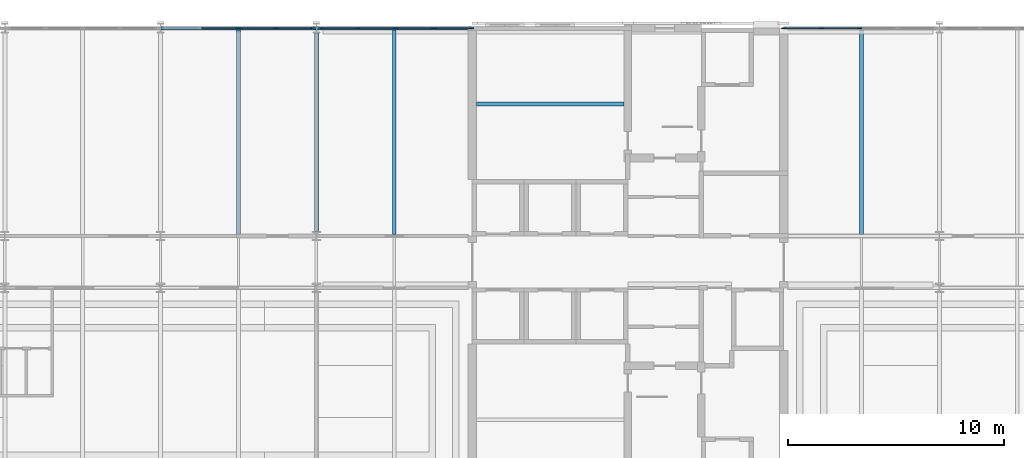
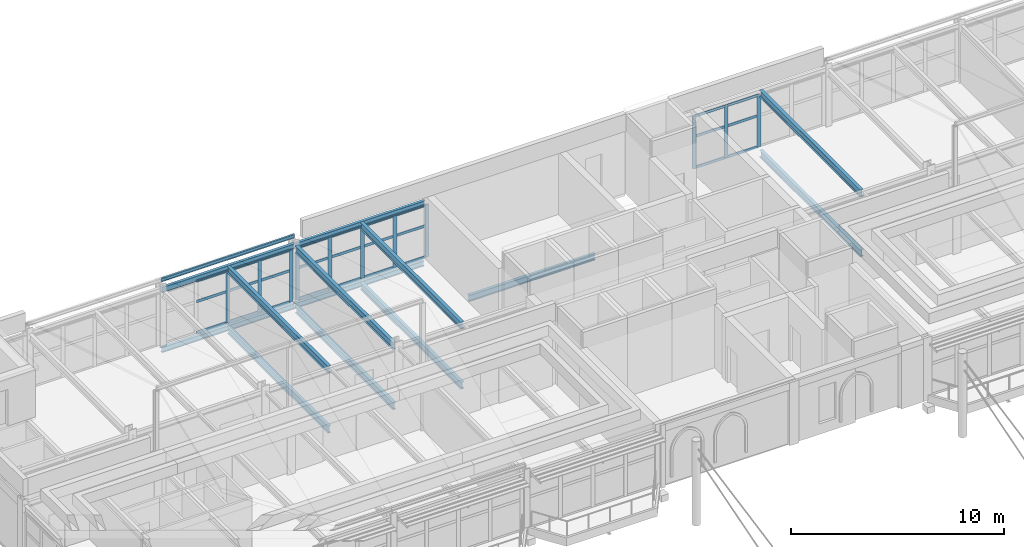
# One storey, part 36 of 68: 38 members, 14 beams, 3 elements without a shape of their own.
"""IFC4 building model written with IfcOpenShell, lengths in metres."""

from ifc_helpers import new_model, si_unit, direction, frame, origin, origin_2d, place, context, subcontext, project, spatial, rectangle, i_section, extrude, material, material_profile, profile_set, type_object, element, aggregate, save


model = new_model("IFC4")

# Units and contexts
model_context = context("Model", 3, precision=1e-05, world=origin(), true_north=direction((0.0, 1.0)))
body_context = subcontext(model_context, "Body", "Model", "MODEL_VIEW")
ifc_project = project(units=[si_unit("LENGTHUNIT", "METRE"), si_unit("AREAUNIT", "SQUARE_METRE"), si_unit("VOLUMEUNIT", "CUBIC_METRE"), si_unit("PLANEANGLEUNIT", "RADIAN"), si_unit("MASSUNIT", "GRAM", prefix="KILO")], contexts=[model_context])

# Site, building, storey
site_placement = place(None, origin())
site = spatial("IfcSite", under=ifc_project, at=site_placement, CompositionType="ELEMENT")
building_placement = place(site_placement, origin())
building = spatial("IfcBuilding", under=site, at=building_placement, Name="Kupolbacken Congress Centre", CompositionType="ELEMENT")
storey_placement = place(building_placement, frame((0.0, 0.0, 25.199951171875)))
storey = spatial("IfcBuildingStorey", under=building, at=storey_placement, Name="L07", CompositionType="ELEMENT", Elevation=25.199951171875)

# Beams
ifc_material_1 = material(Name="Steel S355", Category="steel")
ifc_material_profile_1 = material_profile(ifc_material_1, i_section(OverallWidth=0.10009765625, OverallDepth=0.199951171875, WebThickness=0.005615234375, FlangeThickness=0.008544921875, FilletRadius=0.011962890625, at=origin_2d()), Name="IPE 200")
ifc_profile_set_1 = profile_set([ifc_material_profile_1], Name="Steel S355")
beam_type_1 = type_object("IfcBeamType", Name="B01 beam IPE 200", PredefinedType="BEAM", material=ifc_profile_set_1)
beam_1_placement = place(storey_placement, frame((79.199951171875, 144.0, 3.699951171875), z_axis=(1.0, 0.0, 0.0), x_axis=(0.0, 1.0, 0.0)))
element("IfcBeam", 1, at=beam_1_placement, inside=storey, type_object=beam_type_1, Name="E/T/roof/R1/high1", PredefinedType="BEAM", context=body_context, shape_type="SweptSolid", body=[
    extrude(i_section(OverallWidth=0.10009765625, OverallDepth=0.199951171875, WebThickness=0.005615234375, FlangeThickness=0.008544921875, FilletRadius=0.011962890625, at=origin_2d()), origin(), (0.0, 0.0, 1.0), 7.199951171875),
])
ifc_material_2 = material(Name="Steel S355", Category="steel")
ifc_material_profile_2 = material_profile(ifc_material_2, i_section(OverallWidth=0.14990234375, OverallDepth=0.300048828125, WebThickness=0.007080078125, FlangeThickness=0.0107421875, FilletRadius=0.014892578125, at=origin_2d()), Name="IPE 300")
ifc_profile_set_2 = profile_set([ifc_material_profile_2], Name="Steel S355")
beam_type_2 = type_object("IfcBeamType", Name="B04 beam IPE 300", PredefinedType="BEAM", material=ifc_profile_set_2)
beam_2_placement = place(storey_placement, frame((79.21044921875, 144.0, -0.2900390625), z_axis=(1.0, 0.0, 0.0), x_axis=(0.0, 1.0, 0.0)))
element("IfcBeam", 2, at=beam_2_placement, inside=storey, type_object=beam_type_2, Name="S/floor/T/L07/R027", PredefinedType="BEAM", context=body_context, shape_type="SweptSolid", body=[
    extrude(i_section(OverallWidth=0.14990234375, OverallDepth=0.300048828125, WebThickness=0.007080078125, FlangeThickness=0.0107421875, FilletRadius=0.014892578125, at=origin_2d()), origin(), (0.0, 0.0, 1.0), 7.178955078125),
])
beam_3_placement = place(storey_placement, frame((86.410400390625, 144.0, -0.2900390625), z_axis=(1.0, 0.0, 0.0), x_axis=(0.0, 1.0, 0.0)))
element("IfcBeam", 3, at=beam_3_placement, inside=storey, type_object=beam_type_2, Name="S/floor/T/L07/R028", PredefinedType="BEAM", context=body_context, shape_type="SweptSolid", body=[
    extrude(i_section(OverallWidth=0.14990234375, OverallDepth=0.300048828125, WebThickness=0.007080078125, FlangeThickness=0.0107421875, FilletRadius=0.014892578125, at=origin_2d()), origin(), (0.0, 0.0, 1.0), 6.989501953125),
])
beam_4_placement = place(storey_placement, frame((79.21044921875, 144.0, 3.14013671875), z_axis=(1.0, 0.0, 0.0), x_axis=(0.0, 1.0, 0.0)))
element("IfcBeam", 4, at=beam_4_placement, inside=storey, type_object=beam_type_2, Name="S/floor/T/ROOF/R027", PredefinedType="BEAM", context=body_context, shape_type="SweptSolid", body=[
    extrude(i_section(OverallWidth=0.14990234375, OverallDepth=0.300048828125, WebThickness=0.007080078125, FlangeThickness=0.0107421875, FilletRadius=0.014892578125, at=origin_2d()), origin(), (0.0, 0.0, 1.0), 7.178955078125),
])
beam_5_placement = place(storey_placement, frame((86.410400390625, 144.0, 3.14013671875), z_axis=(1.0, 0.0, 0.0), x_axis=(0.0, 1.0, 0.0)))
element("IfcBeam", 5, at=beam_5_placement, inside=storey, type_object=beam_type_2, Name="S/floor/T/ROOF/R028", PredefinedType="BEAM", context=body_context, shape_type="SweptSolid", body=[
    extrude(i_section(OverallWidth=0.14990234375, OverallDepth=0.300048828125, WebThickness=0.007080078125, FlangeThickness=0.0107421875, FilletRadius=0.014892578125, at=origin_2d()), origin(), (0.0, 0.0, 1.0), 7.0146484375),
])
ifc_material_3 = material(Name="Steel S355", Category="steel")
ifc_material_profile_3 = material_profile(ifc_material_3, i_section(OverallWidth=0.169921875, OverallDepth=0.360107421875, WebThickness=0.008056640625, FlangeThickness=0.0126953125, FilletRadius=0.01806640625, at=origin_2d()), Name="IPE 360")
ifc_profile_set_3 = profile_set([ifc_material_profile_3], Name="Steel S355")
beam_type_3 = type_object("IfcBeamType", Name="B06 beam IPE 360", PredefinedType="BEAM", material=ifc_profile_set_3)
beam_6_placement = place(storey_placement, frame((93.800048828125, 140.5, -0.320068359375), z_axis=(1.0, 0.0, 0.0), x_axis=(0.0, 1.0, 0.0)))
element("IfcBeam", 6, at=beam_6_placement, inside=storey, type_object=beam_type_3, Name="S/floor/T/L07/RB140", PredefinedType="BEAM", context=body_context, shape_type="SweptSolid", body=[
    extrude(i_section(OverallWidth=0.169921875, OverallDepth=0.360107421875, WebThickness=0.008056640625, FlangeThickness=0.0126953125, FilletRadius=0.01806640625, at=origin_2d()), origin(), (0.0, 0.0, 1.0), 6.824951171875),
])
ifc_material_4 = material(Name="Steel S355", Category="steel")
ifc_material_profile_4 = material_profile(ifc_material_4, i_section(OverallWidth=0.179931640625, OverallDepth=0.39990234375, WebThickness=0.008544921875, FlangeThickness=0.013427734375, FilletRadius=0.02099609375, at=origin_2d()), Name="IPE 400")
ifc_profile_set_4 = profile_set([ifc_material_profile_4], Name="Steel S355")
beam_type_4 = type_object("IfcBeamType", Name="B07 beam IPE 400", PredefinedType="BEAM", material=ifc_profile_set_4)
beam_7_placement = place(storey_placement, frame((82.800048828125, 134.47509765625, -0.33984375), z_axis=(0.0, 1.0, 0.0), x_axis=(-1.0, 0.0, 0.0)))
element("IfcBeam", 7, at=beam_7_placement, inside=storey, type_object=beam_type_4, Name="S/floor/T/L07/S050", PredefinedType="BEAM", context=body_context, shape_type="SweptSolid", body=[
    extrude(i_section(OverallWidth=0.179931640625, OverallDepth=0.39990234375, WebThickness=0.008544921875, FlangeThickness=0.013427734375, FilletRadius=0.02099609375, at=origin_2d()), origin(), (0.0, 0.0, 1.0), 9.449951171875),
])
beam_8_placement = place(storey_placement, frame((86.39990234375, 134.612548828125, -0.33984375), z_axis=(0.0, 1.0, 0.0), x_axis=(-1.0, 0.0, 0.0)))
element("IfcBeam", 8, at=beam_8_placement, inside=storey, type_object=beam_type_4, Name="S/floor/T/L07/S053", PredefinedType="BEAM", context=body_context, shape_type="SweptSolid", body=[
    extrude(i_section(OverallWidth=0.179931640625, OverallDepth=0.39990234375, WebThickness=0.008544921875, FlangeThickness=0.013427734375, FilletRadius=0.02099609375, at=origin_2d()), origin(), (0.0, 0.0, 1.0), 9.17138671875),
])
for number, where, z_axis, x_axis, name in (
    (9, (90.0, 134.47509765625, -0.33984375), (0.0, 1.0, 0.0), (-1.0, 0.0, 0.0), "S/floor/T/L07/S056"),
    (10, (111.60009765625, 134.47509765625, -0.33984375), (0.0, 1.0, 0.0), (-1.0, 0.0, 0.0), "S/floor/T/L07/S059"),
    (11, (82.800048828125, 134.47509765625, 3.090087890625), (0.0, 1.0, 0.0), (-1.0, 0.0, 0.0), "S/floor/T/ROOF/S050"),
):
    element("IfcBeam", number, at=place(storey_placement, frame(where, z_axis=z_axis, x_axis=x_axis)), inside=storey, type_object=beam_type_4, Name=name, PredefinedType="BEAM", context=body_context, shape_type="SweptSolid", body=[
        extrude(i_section(OverallWidth=0.179931640625, OverallDepth=0.39990234375, WebThickness=0.008544921875, FlangeThickness=0.013427734375, FilletRadius=0.02099609375, at=origin_2d()), origin(), (0.0, 0.0, 1.0), 9.449951171875),
    ])
beam_9_placement = place(storey_placement, frame((86.39990234375, 134.612548828125, 3.090087890625), z_axis=(0.0, 1.0, 0.0), x_axis=(-1.0, 0.0, 0.0)))
element("IfcBeam", 12, at=beam_9_placement, inside=storey, type_object=beam_type_4, Name="S/floor/T/ROOF/S053", PredefinedType="BEAM", context=body_context, shape_type="SweptSolid", body=[
    extrude(i_section(OverallWidth=0.179931640625, OverallDepth=0.39990234375, WebThickness=0.008544921875, FlangeThickness=0.013427734375, FilletRadius=0.02099609375, at=origin_2d()), origin(), (0.0, 0.0, 1.0), 9.17138671875),
])
for number, where, z_axis, x_axis, name in (
    (13, (90.0, 134.47509765625, 3.090087890625), (0.0, 1.0, 0.0), (-1.0, 0.0, 0.0), "S/floor/T/ROOF/S056"),
    (14, (111.60009765625, 134.47509765625, 3.090087890625), (0.0, 1.0, 0.0), (-1.0, 0.0, 0.0), "S/floor/T/ROOF/S059"),
):
    element("IfcBeam", number, at=place(storey_placement, frame(where, z_axis=z_axis, x_axis=x_axis)), inside=storey, type_object=beam_type_4, Name=name, PredefinedType="BEAM", context=body_context, shape_type="SweptSolid", body=[
        extrude(i_section(OverallWidth=0.179931640625, OverallDepth=0.39990234375, WebThickness=0.008544921875, FlangeThickness=0.013427734375, FilletRadius=0.02099609375, at=origin_2d()), origin(), (0.0, 0.0, 1.0), 9.449951171875),
    ])

# Curtain wall, members
ifc_material_5 = material(Name="Aluminium mullion-transom frame with glass", Category="aluminium")
curtain_wall_type = type_object("IfcCurtainWallType", Name="CW1 curtain wall 7200x3600", PredefinedType="NOTDEFINED", material=ifc_material_5)
curtain_wall_1_placement = place(storey_placement, origin())
curtain_wall_1 = element("IfcCurtainWall", 15, at=curtain_wall_1_placement, inside=storey, type_object=curtain_wall_type, Name="E/T/N/L07/106/g0", PredefinedType="NOTDEFINED")
ifc_material_6 = material(Name="Aluminium alloy", Category="aluminium")
ifc_material_profile_5 = material_profile(ifc_material_6, rectangle(XDim=0.050048828125, YDim=0.199951171875, at=origin_2d()), Name="50 x 200")
ifc_profile_set_5 = profile_set([ifc_material_profile_5], Name="Aluminium alloy")
member_type_1 = type_object("IfcMemberType", Name="MU2 mullion 50x200", PredefinedType="MULLION", material=ifc_profile_set_5)
member_1_placement = place(storey_placement, frame((111.523193359375, 144.0, 0.0), z_axis=(0.0, 0.0, 1.0), x_axis=(0.0, -1.0, 0.0)))
member_1 = element("IfcMember", 16, at=member_1_placement, type_object=member_type_1, Name="CW1 mullion 3", PredefinedType="MULLION", context=body_context, shape_type="SweptSolid", body=[
    extrude(rectangle(XDim=0.050048828125, YDim=0.199951171875, at=origin_2d()), origin(), (0.0, 0.0, 1.0), 2.989990234375),
])
member_2_placement = place(storey_placement, frame((109.76171875, 144.0, 0.0), z_axis=(0.0, 0.0, 1.0), x_axis=(0.0, -1.0, 0.0)))
member_2 = element("IfcMember", 17, at=member_2_placement, type_object=member_type_1, Name="CW1 mullion 4", PredefinedType="MULLION", context=body_context, shape_type="SweptSolid", body=[
    extrude(rectangle(XDim=0.050048828125, YDim=0.199951171875, at=origin_2d()), origin(), (0.0, 0.0, 1.0), 2.989990234375),
])
member_3_placement = place(storey_placement, frame((108.02490234375, 144.0, 0.0), z_axis=(0.0, 0.0, 1.0), x_axis=(0.0, -1.0, 0.0)))
member_3 = element("IfcMember", 18, at=member_3_placement, type_object=member_type_1, Name="CW1 mullion 5", PredefinedType="MULLION", context=body_context, shape_type="SweptSolid", body=[
    extrude(rectangle(XDim=0.050048828125, YDim=0.199951171875, at=origin_2d()), origin(), (0.0, 0.0, 1.0), 2.989990234375),
])

curtain_wall_2_placement = place(storey_placement, origin())
curtain_wall_2 = element("IfcCurtainWall", 19, at=curtain_wall_2_placement, inside=storey, type_object=curtain_wall_type, Name="E/T/N/L07/108/g0", PredefinedType="NOTDEFINED")
member_4_placement = place(storey_placement, frame((93.574951171875, 144.0, 0.0), z_axis=(0.0, 0.0, 1.0), x_axis=(0.0, -1.0, 0.0)))
member_4 = element("IfcMember", 20, at=member_4_placement, type_object=member_type_1, Name="CW1 mullion 1", PredefinedType="MULLION", context=body_context, shape_type="SweptSolid", body=[
    extrude(rectangle(XDim=0.050048828125, YDim=0.199951171875, at=origin_2d()), origin(), (0.0, 0.0, 1.0), 2.989990234375),
])
member_5_placement = place(storey_placement, frame((91.83837890625, 144.0, 0.0), z_axis=(0.0, 0.0, 1.0), x_axis=(0.0, -1.0, 0.0)))
member_5 = element("IfcMember", 21, at=member_5_placement, type_object=member_type_1, Name="CW1 mullion 2", PredefinedType="MULLION", context=body_context, shape_type="SweptSolid", body=[
    extrude(rectangle(XDim=0.050048828125, YDim=0.199951171875, at=origin_2d()), origin(), (0.0, 0.0, 1.0), 2.989990234375),
])
member_6_placement = place(storey_placement, frame((90.07666015625, 144.0, 0.0), z_axis=(0.0, 0.0, 1.0), x_axis=(0.0, -1.0, 0.0)))
member_6 = element("IfcMember", 22, at=member_6_placement, type_object=member_type_1, Name="CW1 mullion 3", PredefinedType="MULLION", context=body_context, shape_type="SweptSolid", body=[
    extrude(rectangle(XDim=0.050048828125, YDim=0.199951171875, at=origin_2d()), origin(), (0.0, 0.0, 1.0), 2.989990234375),
])
member_7_placement = place(storey_placement, frame((88.315185546875, 144.0, 0.0), z_axis=(0.0, 0.0, 1.0), x_axis=(0.0, -1.0, 0.0)))
member_7 = element("IfcMember", 23, at=member_7_placement, type_object=member_type_1, Name="CW1 mullion 4", PredefinedType="MULLION", context=body_context, shape_type="SweptSolid", body=[
    extrude(rectangle(XDim=0.050048828125, YDim=0.199951171875, at=origin_2d()), origin(), (0.0, 0.0, 1.0), 2.989990234375),
])
member_8_placement = place(storey_placement, frame((86.57861328125, 144.0, 0.0), z_axis=(0.0, 0.0, 1.0), x_axis=(0.0, -1.0, 0.0)))
member_8 = element("IfcMember", 24, at=member_8_placement, type_object=member_type_1, Name="CW1 mullion 5", PredefinedType="MULLION", context=body_context, shape_type="SweptSolid", body=[
    extrude(rectangle(XDim=0.050048828125, YDim=0.199951171875, at=origin_2d()), origin(), (0.0, 0.0, 1.0), 2.989990234375),
])

curtain_wall_3_placement = place(storey_placement, origin())
curtain_wall_3 = element("IfcCurtainWall", 25, at=curtain_wall_3_placement, inside=storey, type_object=curtain_wall_type, Name="E/T/N/L07/109/g0", PredefinedType="NOTDEFINED")
member_9_placement = place(storey_placement, frame((86.221435546875, 144.0, 0.0), z_axis=(0.0, 0.0, 1.0), x_axis=(0.0, -1.0, 0.0)))
member_9 = element("IfcMember", 26, at=member_9_placement, type_object=member_type_1, Name="CW1 mullion 1", PredefinedType="MULLION", context=body_context, shape_type="SweptSolid", body=[
    extrude(rectangle(XDim=0.050048828125, YDim=0.199951171875, at=origin_2d()), origin(), (0.0, 0.0, 1.0), 2.989990234375),
])
member_10_placement = place(storey_placement, frame((84.523193359375, 144.0, 0.0), z_axis=(0.0, 0.0, 1.0), x_axis=(0.0, -1.0, 0.0)))
member_10 = element("IfcMember", 27, at=member_10_placement, type_object=member_type_1, Name="CW1 mullion 2", PredefinedType="MULLION", context=body_context, shape_type="SweptSolid", body=[
    extrude(rectangle(XDim=0.050048828125, YDim=0.199951171875, at=origin_2d()), origin(), (0.0, 0.0, 1.0), 2.989990234375),
])
member_11_placement = place(storey_placement, frame((82.800048828125, 144.0, 0.0), z_axis=(0.0, 0.0, 1.0), x_axis=(0.0, -1.0, 0.0)))
member_11 = element("IfcMember", 28, at=member_11_placement, type_object=member_type_1, Name="CW1 mullion 3", PredefinedType="MULLION", context=body_context, shape_type="SweptSolid", body=[
    extrude(rectangle(XDim=0.050048828125, YDim=0.199951171875, at=origin_2d()), origin(), (0.0, 0.0, 1.0), 2.989990234375),
])

# Member
ifc_material_7 = material(Name="Aluminium alloy", Category="aluminium")
ifc_material_profile_6 = material_profile(ifc_material_7, rectangle(XDim=0.050048828125, YDim=0.14990234375, at=origin_2d()), Name="50 x 150")
ifc_profile_set_6 = profile_set([ifc_material_profile_6], Name="Aluminium alloy")
member_type_2 = type_object("IfcMemberType", Name="TR2 transom 50x150", PredefinedType="MULLION", material=ifc_profile_set_6)
member_12_placement = place(storey_placement, frame((111.498291015625, 144.0, 0.025146484375), z_axis=(-1.0, 0.0, 0.0), x_axis=(0.0, -1.0, 0.0)))
member_12 = element("IfcMember", 29, at=member_12_placement, type_object=member_type_2, Name="CW1 transom 3.1", PredefinedType="MULLION", context=body_context, shape_type="SweptSolid", body=[
    extrude(rectangle(XDim=0.050048828125, YDim=0.14990234375, at=origin_2d()), origin(), (0.0, 0.0, 1.0), 1.711669921875),
])

member_13_placement = place(storey_placement, frame((111.498291015625, 144.0, 1.800048828125), z_axis=(-1.0, 0.0, 0.0), x_axis=(0.0, -1.0, 0.0)))
member_13 = element("IfcMember", 30, at=member_13_placement, type_object=member_type_2, Name="CW1 transom 3.2", PredefinedType="MULLION", context=body_context, shape_type="SweptSolid", body=[
    extrude(rectangle(XDim=0.050048828125, YDim=0.14990234375, at=origin_2d()), origin(), (0.0, 0.0, 1.0), 1.711669921875),
])

member_14_placement = place(storey_placement, frame((111.498291015625, 144.0, 2.965087890625), z_axis=(-1.0, 0.0, 0.0), x_axis=(0.0, -1.0, 0.0)))
member_14 = element("IfcMember", 31, at=member_14_placement, type_object=member_type_2, Name="CW1 transom 3.3", PredefinedType="MULLION", context=body_context, shape_type="SweptSolid", body=[
    extrude(rectangle(XDim=0.050048828125, YDim=0.14990234375, at=origin_2d()), origin(), (0.0, 0.0, 1.0), 1.711669921875),
])

member_15_placement = place(storey_placement, frame((109.736572265625, 144.0, 0.025146484375), z_axis=(-1.0, 0.0, 0.0), x_axis=(0.0, -1.0, 0.0)))
member_15 = element("IfcMember", 32, at=member_15_placement, type_object=member_type_2, Name="CW1 transom 4.1", PredefinedType="MULLION", context=body_context, shape_type="SweptSolid", body=[
    extrude(rectangle(XDim=0.050048828125, YDim=0.14990234375, at=origin_2d()), origin(), (0.0, 0.0, 1.0), 1.6865234375),
])

member_16_placement = place(storey_placement, frame((109.736572265625, 144.0, 1.800048828125), z_axis=(-1.0, 0.0, 0.0), x_axis=(0.0, -1.0, 0.0)))
member_16 = element("IfcMember", 33, at=member_16_placement, type_object=member_type_2, Name="CW1 transom 4.2", PredefinedType="MULLION", context=body_context, shape_type="SweptSolid", body=[
    extrude(rectangle(XDim=0.050048828125, YDim=0.14990234375, at=origin_2d()), origin(), (0.0, 0.0, 1.0), 1.6865234375),
])

member_17_placement = place(storey_placement, frame((109.736572265625, 144.0, 2.965087890625), z_axis=(-1.0, 0.0, 0.0), x_axis=(0.0, -1.0, 0.0)))
member_17 = element("IfcMember", 34, at=member_17_placement, type_object=member_type_2, Name="CW1 transom 4.3", PredefinedType="MULLION", context=body_context, shape_type="SweptSolid", body=[
    extrude(rectangle(XDim=0.050048828125, YDim=0.14990234375, at=origin_2d()), origin(), (0.0, 0.0, 1.0), 1.6865234375),
])

aggregate(curtain_wall_1, [member_1, member_2, member_3, member_12, member_13, member_14, member_15, member_16, member_17])

member_18_placement = place(storey_placement, frame((93.550048828125, 144.0, 0.025146484375), z_axis=(-1.0, 0.0, 0.0), x_axis=(0.0, -1.0, 0.0)))
member_18 = element("IfcMember", 35, at=member_18_placement, type_object=member_type_2, Name="CW1 transom 1.1", PredefinedType="MULLION", context=body_context, shape_type="SweptSolid", body=[
    extrude(rectangle(XDim=0.050048828125, YDim=0.14990234375, at=origin_2d()), origin(), (0.0, 0.0, 1.0), 1.686767578125),
])

member_19_placement = place(storey_placement, frame((93.550048828125, 144.0, 1.800048828125), z_axis=(-1.0, 0.0, 0.0), x_axis=(0.0, -1.0, 0.0)))
member_19 = element("IfcMember", 36, at=member_19_placement, type_object=member_type_2, Name="CW1 transom 1.2", PredefinedType="MULLION", context=body_context, shape_type="SweptSolid", body=[
    extrude(rectangle(XDim=0.050048828125, YDim=0.14990234375, at=origin_2d()), origin(), (0.0, 0.0, 1.0), 1.686767578125),
])

member_20_placement = place(storey_placement, frame((93.550048828125, 144.0, 2.965087890625), z_axis=(-1.0, 0.0, 0.0), x_axis=(0.0, -1.0, 0.0)))
member_20 = element("IfcMember", 37, at=member_20_placement, type_object=member_type_2, Name="CW1 transom 1.3", PredefinedType="MULLION", context=body_context, shape_type="SweptSolid", body=[
    extrude(rectangle(XDim=0.050048828125, YDim=0.14990234375, at=origin_2d()), origin(), (0.0, 0.0, 1.0), 1.686767578125),
])

member_21_placement = place(storey_placement, frame((91.8134765625, 144.0, 0.025146484375), z_axis=(-1.0, 0.0, 0.0), x_axis=(0.0, -1.0, 0.0)))
member_21 = element("IfcMember", 38, at=member_21_placement, type_object=member_type_2, Name="CW1 transom 2.1", PredefinedType="MULLION", context=body_context, shape_type="SweptSolid", body=[
    extrude(rectangle(XDim=0.050048828125, YDim=0.14990234375, at=origin_2d()), origin(), (0.0, 0.0, 1.0), 1.711669921875),
])

member_22_placement = place(storey_placement, frame((91.8134765625, 144.0, 1.800048828125), z_axis=(-1.0, 0.0, 0.0), x_axis=(0.0, -1.0, 0.0)))
member_22 = element("IfcMember", 39, at=member_22_placement, type_object=member_type_2, Name="CW1 transom 2.2", PredefinedType="MULLION", context=body_context, shape_type="SweptSolid", body=[
    extrude(rectangle(XDim=0.050048828125, YDim=0.14990234375, at=origin_2d()), origin(), (0.0, 0.0, 1.0), 1.711669921875),
])

member_23_placement = place(storey_placement, frame((91.8134765625, 144.0, 2.965087890625), z_axis=(-1.0, 0.0, 0.0), x_axis=(0.0, -1.0, 0.0)))
member_23 = element("IfcMember", 40, at=member_23_placement, type_object=member_type_2, Name="CW1 transom 2.3", PredefinedType="MULLION", context=body_context, shape_type="SweptSolid", body=[
    extrude(rectangle(XDim=0.050048828125, YDim=0.14990234375, at=origin_2d()), origin(), (0.0, 0.0, 1.0), 1.711669921875),
])

member_24_placement = place(storey_placement, frame((90.0517578125, 144.0, 0.025146484375), z_axis=(-1.0, 0.0, 0.0), x_axis=(0.0, -1.0, 0.0)))
member_24 = element("IfcMember", 41, at=member_24_placement, type_object=member_type_2, Name="CW1 transom 3.1", PredefinedType="MULLION", context=body_context, shape_type="SweptSolid", body=[
    extrude(rectangle(XDim=0.050048828125, YDim=0.14990234375, at=origin_2d()), origin(), (0.0, 0.0, 1.0), 1.711669921875),
])

member_25_placement = place(storey_placement, frame((90.0517578125, 144.0, 1.800048828125), z_axis=(-1.0, 0.0, 0.0), x_axis=(0.0, -1.0, 0.0)))
member_25 = element("IfcMember", 42, at=member_25_placement, type_object=member_type_2, Name="CW1 transom 3.2", PredefinedType="MULLION", context=body_context, shape_type="SweptSolid", body=[
    extrude(rectangle(XDim=0.050048828125, YDim=0.14990234375, at=origin_2d()), origin(), (0.0, 0.0, 1.0), 1.711669921875),
])

member_26_placement = place(storey_placement, frame((90.0517578125, 144.0, 2.965087890625), z_axis=(-1.0, 0.0, 0.0), x_axis=(0.0, -1.0, 0.0)))
member_26 = element("IfcMember", 43, at=member_26_placement, type_object=member_type_2, Name="CW1 transom 3.3", PredefinedType="MULLION", context=body_context, shape_type="SweptSolid", body=[
    extrude(rectangle(XDim=0.050048828125, YDim=0.14990234375, at=origin_2d()), origin(), (0.0, 0.0, 1.0), 1.711669921875),
])

member_27_placement = place(storey_placement, frame((88.2900390625, 144.0, 0.025146484375), z_axis=(-1.0, 0.0, 0.0), x_axis=(0.0, -1.0, 0.0)))
member_27 = element("IfcMember", 44, at=member_27_placement, type_object=member_type_2, Name="CW1 transom 4.1", PredefinedType="MULLION", context=body_context, shape_type="SweptSolid", body=[
    extrude(rectangle(XDim=0.050048828125, YDim=0.14990234375, at=origin_2d()), origin(), (0.0, 0.0, 1.0), 1.6865234375),
])

member_28_placement = place(storey_placement, frame((88.2900390625, 144.0, 1.800048828125), z_axis=(-1.0, 0.0, 0.0), x_axis=(0.0, -1.0, 0.0)))
member_28 = element("IfcMember", 45, at=member_28_placement, type_object=member_type_2, Name="CW1 transom 4.2", PredefinedType="MULLION", context=body_context, shape_type="SweptSolid", body=[
    extrude(rectangle(XDim=0.050048828125, YDim=0.14990234375, at=origin_2d()), origin(), (0.0, 0.0, 1.0), 1.6865234375),
])

member_29_placement = place(storey_placement, frame((88.2900390625, 144.0, 2.965087890625), z_axis=(-1.0, 0.0, 0.0), x_axis=(0.0, -1.0, 0.0)))
member_29 = element("IfcMember", 46, at=member_29_placement, type_object=member_type_2, Name="CW1 transom 4.3", PredefinedType="MULLION", context=body_context, shape_type="SweptSolid", body=[
    extrude(rectangle(XDim=0.050048828125, YDim=0.14990234375, at=origin_2d()), origin(), (0.0, 0.0, 1.0), 1.6865234375),
])

aggregate(curtain_wall_2, [member_4, member_5, member_6, member_7, member_8, member_18, member_19, member_20, member_21, member_22, member_23, member_24, member_25, member_26, member_27, member_28, member_29])

member_30_placement = place(storey_placement, frame((86.196533203125, 144.0, 0.025146484375), z_axis=(-1.0, 0.0, 0.0), x_axis=(0.0, -1.0, 0.0)))
member_30 = element("IfcMember", 47, at=member_30_placement, type_object=member_type_2, Name="CW1 transom 1.1", PredefinedType="MULLION", context=body_context, shape_type="SweptSolid", body=[
    extrude(rectangle(XDim=0.050048828125, YDim=0.14990234375, at=origin_2d()), origin(), (0.0, 0.0, 1.0), 1.648193359375),
])

member_31_placement = place(storey_placement, frame((86.196533203125, 144.0, 1.800048828125), z_axis=(-1.0, 0.0, 0.0), x_axis=(0.0, -1.0, 0.0)))
member_31 = element("IfcMember", 48, at=member_31_placement, type_object=member_type_2, Name="CW1 transom 1.2", PredefinedType="MULLION", context=body_context, shape_type="SweptSolid", body=[
    extrude(rectangle(XDim=0.050048828125, YDim=0.14990234375, at=origin_2d()), origin(), (0.0, 0.0, 1.0), 1.648193359375),
])

member_32_placement = place(storey_placement, frame((86.196533203125, 144.0, 2.965087890625), z_axis=(-1.0, 0.0, 0.0), x_axis=(0.0, -1.0, 0.0)))
member_32 = element("IfcMember", 49, at=member_32_placement, type_object=member_type_2, Name="CW1 transom 1.3", PredefinedType="MULLION", context=body_context, shape_type="SweptSolid", body=[
    extrude(rectangle(XDim=0.050048828125, YDim=0.14990234375, at=origin_2d()), origin(), (0.0, 0.0, 1.0), 1.648193359375),
])

member_33_placement = place(storey_placement, frame((84.498291015625, 144.0, 0.025146484375), z_axis=(-1.0, 0.0, 0.0), x_axis=(0.0, -1.0, 0.0)))
member_33 = element("IfcMember", 50, at=member_33_placement, type_object=member_type_2, Name="CW1 transom 2.1", PredefinedType="MULLION", context=body_context, shape_type="SweptSolid", body=[
    extrude(rectangle(XDim=0.050048828125, YDim=0.14990234375, at=origin_2d()), origin(), (0.0, 0.0, 1.0), 1.67333984375),
])

member_34_placement = place(storey_placement, frame((84.498291015625, 144.0, 1.800048828125), z_axis=(-1.0, 0.0, 0.0), x_axis=(0.0, -1.0, 0.0)))
member_34 = element("IfcMember", 51, at=member_34_placement, type_object=member_type_2, Name="CW1 transom 2.2", PredefinedType="MULLION", context=body_context, shape_type="SweptSolid", body=[
    extrude(rectangle(XDim=0.050048828125, YDim=0.14990234375, at=origin_2d()), origin(), (0.0, 0.0, 1.0), 1.67333984375),
])

member_35_placement = place(storey_placement, frame((84.498291015625, 144.0, 2.965087890625), z_axis=(-1.0, 0.0, 0.0), x_axis=(0.0, -1.0, 0.0)))
member_35 = element("IfcMember", 52, at=member_35_placement, type_object=member_type_2, Name="CW1 transom 2.3", PredefinedType="MULLION", context=body_context, shape_type="SweptSolid", body=[
    extrude(rectangle(XDim=0.050048828125, YDim=0.14990234375, at=origin_2d()), origin(), (0.0, 0.0, 1.0), 1.67333984375),
])

member_36_placement = place(storey_placement, frame((82.77490234375, 144.0, 0.025146484375), z_axis=(-1.0, 0.0, 0.0), x_axis=(0.0, -1.0, 0.0)))
member_36 = element("IfcMember", 53, at=member_36_placement, type_object=member_type_2, Name="CW1 transom 3.1", PredefinedType="MULLION", context=body_context, shape_type="SweptSolid", body=[
    extrude(rectangle(XDim=0.050048828125, YDim=0.14990234375, at=origin_2d()), origin(), (0.0, 0.0, 1.0), 1.673095703125),
])

member_37_placement = place(storey_placement, frame((82.77490234375, 144.0, 1.800048828125), z_axis=(-1.0, 0.0, 0.0), x_axis=(0.0, -1.0, 0.0)))
member_37 = element("IfcMember", 54, at=member_37_placement, type_object=member_type_2, Name="CW1 transom 3.2", PredefinedType="MULLION", context=body_context, shape_type="SweptSolid", body=[
    extrude(rectangle(XDim=0.050048828125, YDim=0.14990234375, at=origin_2d()), origin(), (0.0, 0.0, 1.0), 1.673095703125),
])

member_38_placement = place(storey_placement, frame((82.77490234375, 144.0, 2.965087890625), z_axis=(-1.0, 0.0, 0.0), x_axis=(0.0, -1.0, 0.0)))
member_38 = element("IfcMember", 55, at=member_38_placement, type_object=member_type_2, Name="CW1 transom 3.3", PredefinedType="MULLION", context=body_context, shape_type="SweptSolid", body=[
    extrude(rectangle(XDim=0.050048828125, YDim=0.14990234375, at=origin_2d()), origin(), (0.0, 0.0, 1.0), 1.673095703125),
])

aggregate(curtain_wall_3, [member_9, member_10, member_11, member_30, member_31, member_32, member_33, member_34, member_35, member_36, member_37, member_38])

save(model, "model.ifc")
